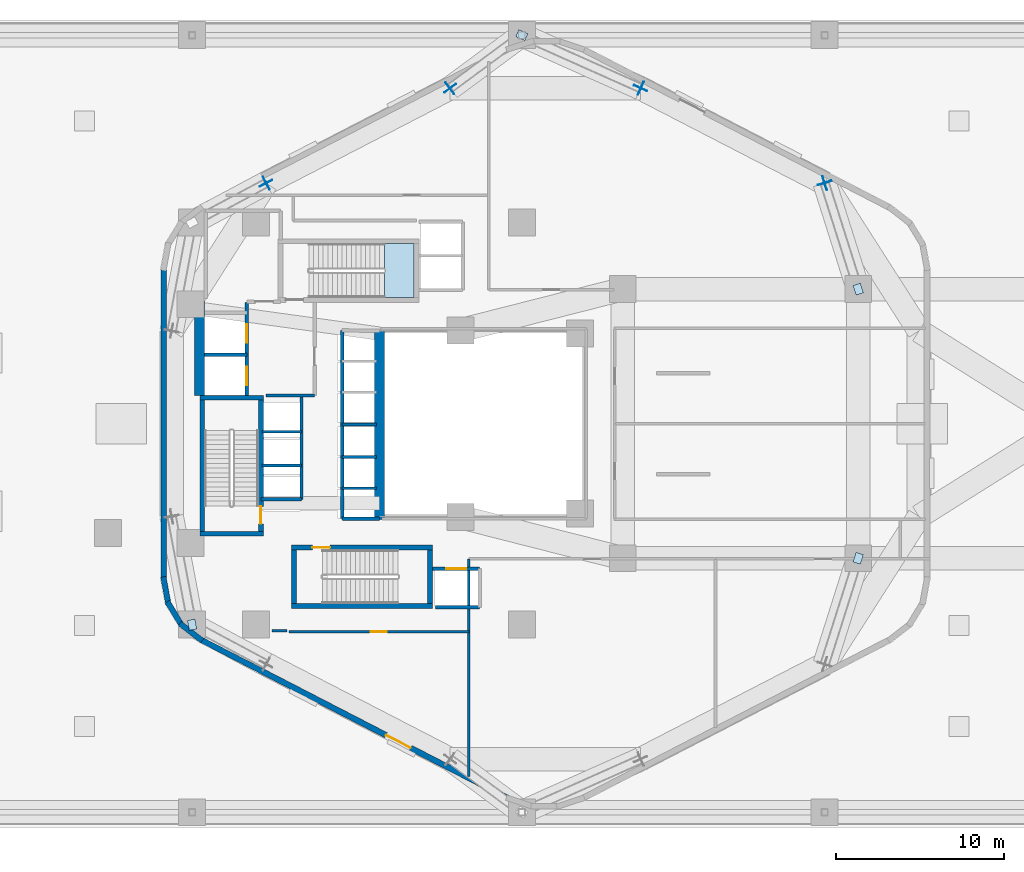
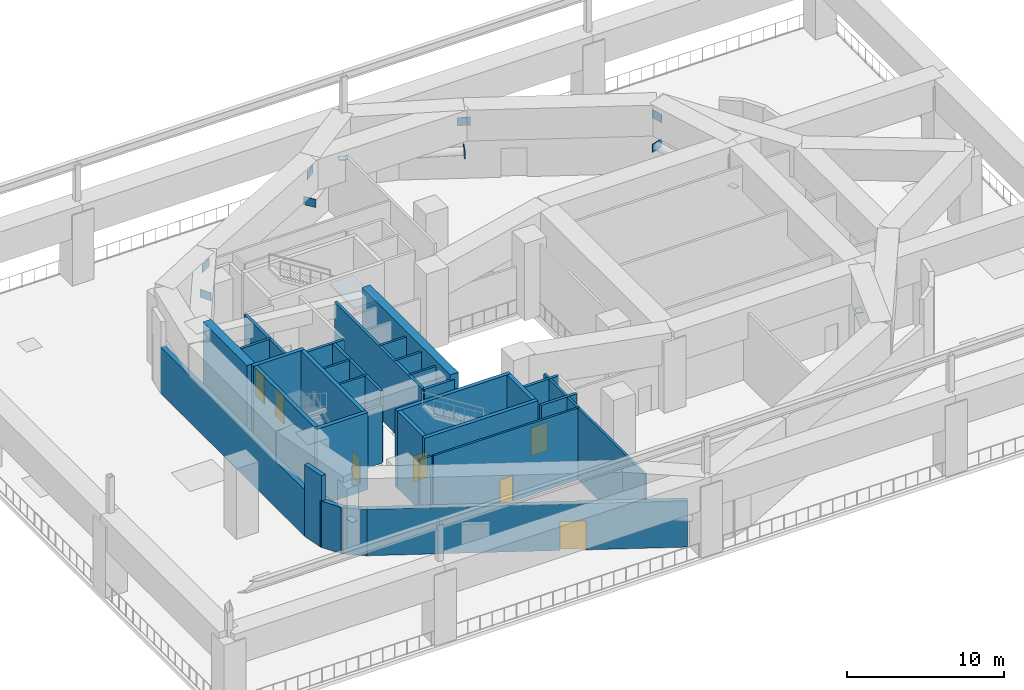
# One storey, part 9 of 15: 32 walls, 12 plates, 7 doors, 1 slab, 7 openings, 1 element without a shape of its own.
"""IFC4 building model written with IfcOpenShell, lengths in metres."""

from ifc_helpers import new_model, si_unit, direction, frame, frame_2d, origin, origin_2d, place, context, subcontext, project, spatial, polyline, rectangle, outline, extrude, material, layer, layer_set, type_object, element, fill, aggregate, save


model = new_model("IFC4")

# Units and contexts
model_context = context("Model", 3, precision=1e-05, world=origin(), true_north=direction((0.0, 1.0)))
body_context = subcontext(model_context, "Body", "Model", "MODEL_VIEW")
ifc_project = project(units=[si_unit("LENGTHUNIT", "METRE"), si_unit("AREAUNIT", "SQUARE_METRE"), si_unit("VOLUMEUNIT", "CUBIC_METRE"), si_unit("PLANEANGLEUNIT", "RADIAN"), si_unit("MASSUNIT", "GRAM", prefix="KILO"), si_unit("THERMODYNAMICTEMPERATUREUNIT", "KELVIN"), si_unit("POWERUNIT", "WATT")], contexts=[model_context])

# Site, building, storey
site_placement = place(None, origin())
site = spatial("IfcSite", under=ifc_project, at=site_placement, CompositionType="ELEMENT")
building_placement = place(site_placement, origin())
building = spatial("IfcBuilding", under=site, at=building_placement, Name="Skarre Station Tower", CompositionType="ELEMENT")
storey_placement = place(building_placement, frame((0.0, 0.0, 21.0)))
storey = spatial("IfcBuildingStorey", under=building, at=storey_placement, Name="L05", CompositionType="ELEMENT", Elevation=21.0)

# Plates
ifc_material_1 = material(Name="Steel ASTM A572 Grade 50", Category="steel")
ifc_layer_1 = layer(ifc_material_1, 0.030029296875, Name="Steel ASTM A572 Grade 50")
ifc_layer_set_1 = layer_set([ifc_layer_1], Name="Steel ASTM A572 Grade 50")
plate_type_1 = type_object("IfcPlateType", Name="Hollow-Section End Cap Plate 600x460x30", PredefinedType="USERDEFINED", material=ifc_layer_set_1)
for number, where, z_axis, x_axis, name in (
    (1, (56.0, 32.0, 2.3349609375), (0.0, 0.0, 1.0), (-0.301704364497, 0.953401529495, 0.0), "L05 Transfer Brace Base Gusset Plate F0C1"),
    (2, (36.0, 47.10009765625, 2.3349609375), (0.0, 0.0, 1.0), (0.91307632467, -0.407788701814, 0.0), "L05 Transfer Brace Base Gusset Plate F0C2"),
    (3, (16.39990234375, 12.050048828125, 2.3349609375), (0.0, 0.0, 1.0), (-0.185409361597, 0.982661370276, 0.0), "L05 Transfer Brace Base Gusset Plate F2C2"),
    (4, (56.0, 16.0, 2.3349609375), (0.0, 0.0, 1.0), (-0.301704364497, -0.953401529495, 0.0), "L05 Transfer Brace Base Gusset Plate F4C2"),
):
    element("IfcPlate", number, at=place(storey_placement, frame(where, z_axis=z_axis, x_axis=x_axis)), inside=storey, type_object=plate_type_1, Name=name, ObjectType="STIFFENER_PLATE", PredefinedType="USERDEFINED", context=body_context, shape_type="SweptSolid", body=[
        extrude(rectangle(XDim=0.60009765625, YDim=0.4599609375, at=origin_2d()), origin(), (0.0, 0.0, 1.0), 0.030029296875),
    ])
ifc_layer_2 = layer(ifc_material_1, 0.0400390625, Name="Steel ASTM A572 Grade 50")
ifc_layer_set_2 = layer_set([ifc_layer_2], Name="Steel ASTM A572 Grade 50")
plate_type_2 = type_object("IfcPlateType", Name="Outrigger Heavy Gusset Plate 850x640x40", PredefinedType="USERDEFINED", material=ifc_layer_set_2)
plate_1_placement = place(storey_placement, frame((54.007080078125, 38.298095703125, 4.330078125), z_axis=(0.0, 0.0, 1.0), x_axis=(-0.301704364497, 0.953401529495, 0.0)))
element("IfcPlate", 5, at=plate_1_placement, inside=storey, type_object=plate_type_2, Name="L05 Transfer Truss Top Gusset Plate F0C1", ObjectType="GUSSET_PLATE", PredefinedType="USERDEFINED", context=body_context, shape_type="SweptSolid", body=[
    extrude(rectangle(XDim=0.85009765625, YDim=0.0400390625, at=origin_2d()), origin(), (0.0, 0.0, 1.0), 0.639892578125),
])
plate_2_placement = place(storey_placement, frame((54.001953125, 38.31201171875, 2.0302734375), z_axis=(0.0, 0.0, 1.0), x_axis=(-0.301704364497, 0.953401529495, 0.0)))
element("IfcPlate", 6, at=plate_2_placement, inside=storey, type_object=plate_type_2, Name="L05 Transfer Truss Chord End Cap Plate F0C1", ObjectType="GUSSET_PLATE", PredefinedType="USERDEFINED", context=body_context, shape_type="SweptSolid", body=[
    extrude(rectangle(XDim=0.0400390625, YDim=0.85009765625, at=origin_2d()), origin(), (0.0, 0.0, 1.0), 0.639892578125),
])
plate_3_placement = place(storey_placement, frame((43.06005859375, 43.947021484375, 4.330078125), z_axis=(0.0, 0.0, 1.0), x_axis=(0.91307632467, -0.407788701814, 0.0)))
element("IfcPlate", 7, at=plate_3_placement, inside=storey, type_object=plate_type_2, Name="L05 Transfer Truss Top Gusset Plate F0C2", ObjectType="GUSSET_PLATE", PredefinedType="USERDEFINED", context=body_context, shape_type="SweptSolid", body=[
    extrude(rectangle(XDim=0.85009765625, YDim=0.0400390625, at=origin_2d()), origin(), (0.0, 0.0, 1.0), 0.639892578125),
])
plate_4_placement = place(storey_placement, frame((43.073974609375, 43.94091796875, 2.0302734375), z_axis=(0.0, 0.0, 1.0), x_axis=(0.91307632467, -0.407788701814, 0.0)))
element("IfcPlate", 8, at=plate_4_placement, inside=storey, type_object=plate_type_2, Name="L05 Transfer Truss Chord End Cap Plate F0C2", ObjectType="GUSSET_PLATE", PredefinedType="USERDEFINED", context=body_context, shape_type="SweptSolid", body=[
    extrude(rectangle(XDim=0.0400390625, YDim=0.85009765625, at=origin_2d()), origin(), (0.0, 0.0, 1.0), 0.639892578125),
])
plate_5_placement = place(storey_placement, frame((31.739990234375, 43.947021484375, 4.330078125), z_axis=(0.0, 0.0, 1.0), x_axis=(-0.803784183305, -0.594920991954, 0.0)))
element("IfcPlate", 9, at=plate_5_placement, inside=storey, type_object=plate_type_2, Name="L05 Transfer Truss Top Gusset Plate F1C1", ObjectType="GUSSET_PLATE", PredefinedType="USERDEFINED", context=body_context, shape_type="SweptSolid", body=[
    extrude(rectangle(XDim=0.85009765625, YDim=0.0400390625, at=origin_2d()), origin(), (0.0, 0.0, 1.0), 0.639892578125),
])
plate_6_placement = place(storey_placement, frame((31.72802734375, 43.93798828125, 2.0302734375), z_axis=(0.0, 0.0, 1.0), x_axis=(-0.803784183305, -0.594920991954, 0.0)))
element("IfcPlate", 10, at=plate_6_placement, inside=storey, type_object=plate_type_2, Name="L05 Transfer Truss Chord End Cap Plate F1C1", ObjectType="GUSSET_PLATE", PredefinedType="USERDEFINED", context=body_context, shape_type="SweptSolid", body=[
    extrude(rectangle(XDim=0.0400390625, YDim=0.85009765625, at=origin_2d()), origin(), (0.0, 0.0, 1.0), 0.639892578125),
])
plate_7_placement = place(storey_placement, frame((20.79296875, 38.298095703125, 4.330078125), z_axis=(0.0, 0.0, 1.0), x_axis=(0.881929491639, 0.471381344324, 0.0)))
element("IfcPlate", 11, at=plate_7_placement, inside=storey, type_object=plate_type_2, Name="L05 Transfer Truss Top Gusset Plate F1C2", ObjectType="GUSSET_PLATE", PredefinedType="USERDEFINED", context=body_context, shape_type="SweptSolid", body=[
    extrude(rectangle(XDim=0.85009765625, YDim=0.0400390625, at=origin_2d()), origin(), (0.0, 0.0, 1.0), 0.639892578125),
])
plate_8_placement = place(storey_placement, frame((20.805908203125, 38.304931640625, 2.0302734375), z_axis=(0.0, 0.0, 1.0), x_axis=(0.881929491639, 0.471381344324, 0.0)))
element("IfcPlate", 12, at=plate_8_placement, inside=storey, type_object=plate_type_2, Name="L05 Transfer Truss Chord End Cap Plate F1C2", ObjectType="GUSSET_PLATE", PredefinedType="USERDEFINED", context=body_context, shape_type="SweptSolid", body=[
    extrude(rectangle(XDim=0.0400390625, YDim=0.85009765625, at=origin_2d()), origin(), (0.0, 0.0, 1.0), 0.639892578125),
])

# Stair, slab
ifc_material_2 = material(Name="Concrete C40/50", Category="concrete")
stair_type = type_object("IfcStairType", Name="Reinforced Concrete Exit Stair ST-3", PredefinedType="HALF_TURN_STAIR", material=ifc_material_2)
stair_placement = place(storey_placement, origin())
stair = element("IfcStair", 13, at=stair_placement, inside=storey, type_object=stair_type, Name="L05 Core Exit Stair ST-3", PredefinedType="HALF_TURN_STAIR")
ifc_layer_3 = layer(ifc_material_2, 0.219970703125, Name="Concrete C40/50")
ifc_layer_set_3 = layer_set([ifc_layer_3], Name="Concrete C40/50")
slab_type = type_object("IfcSlabType", Name="Reinforced Concrete Stair & Ramp Landing 220", PredefinedType="LANDING", material=ifc_layer_set_3)
slab_placement = place(storey_placement, frame((0.0, 0.0, 2.800048828125)))
slab = element("IfcSlab", 14, at=slab_placement, type_object=slab_type, Name="ST-3 landing 1", PredefinedType="LANDING", context=body_context, shape_type="SweptSolid", body=[
    extrude(outline(polyline([(27.830078125, 31.5), (29.60009765625, 31.5), (29.60009765625, 34.699951171875), (27.830078125, 34.699951171875), (27.830078125, 31.5)])), origin(), (0.0, 0.0, 1.0), 0.199951171875),
])
aggregate(stair, [slab])

# Wall, opening, door
ifc_material_3 = material(Name="Acoustic Steel-Stud Gypsum Partition", Category="steel")
ifc_layer_4 = layer(ifc_material_3, 0.14990234375, Name="Acoustic Steel-Stud Gypsum Partition")
ifc_layer_set_4 = layer_set([ifc_layer_4], Name="Acoustic Steel-Stud Gypsum Partition")
wall_type_1 = type_object("IfcWallType", Name="Fire-Rated Corridor Acoustic Partition 150", PredefinedType="PARTITIONING", material=ifc_layer_set_4)
wall_1_placement = place(storey_placement, frame((32.85009765625, 11.639892578125, 0.0), z_axis=(0.0, 0.0, 1.0), x_axis=(-1.0, 0.0, 0.0)))
wall_1 = element("IfcWall", 15, at=wall_1_placement, inside=storey, type_object=wall_type_1, Name="L05 Interior Partition WL-PT-L05-PLTSW1-CW", PredefinedType="PARTITIONING", context=body_context, shape_type="SweptSolid", body=[
    extrude(rectangle(XDim=10.7001953125, YDim=0.14990234375, at=frame_2d((5.35009765625, 0.0))), origin(), (0.0, 0.0, 1.0), 5.580078125),
])
opening_1_placement = place(wall_1_placement, frame((4.8701171875, 0.0, 0.0)))
opening_1 = element("IfcOpeningElement", 16, at=opening_1_placement, cuts=wall_1, Name="Opening DR-FD60", PredefinedType="OPENING", context=body_context, shape_type="SweptSolid", body=[
    extrude(rectangle(XDim=0.9599609375, YDim=2.0, at=frame_2d((0.47998046875, 1.0))), frame((0.0, 0.0849609375, 0.0), z_axis=(0.0, -1.0, 0.0), x_axis=(1.0, 0.0, 0.0)), (0.0, 0.0, 1.0), 0.169921875),
])
ifc_material_4 = material(Name="Nordic White-Oak Veneer Solid-Core Fire Leaf", Category="wood")
door_type_1 = type_object("IfcDoorType", Name="Corridor Suite Entry Fire Door FD60 960x2150", OperationType="SINGLE_SWING_LEFT", PredefinedType="DOOR", material=ifc_material_4)
door_1_placement = place(opening_1_placement, origin())
door_1 = element("IfcDoor", 17, at=door_1_placement, inside=storey, type_object=door_type_1, Name="L05 PLTSW1 Entry Door", OperationType="SINGLE_SWING_LEFT", OverallHeight=2.0, OverallWidth=0.9599609375, PredefinedType="DOOR", context=body_context, shape_type="SweptSolid", body=[
    extrude(rectangle(XDim=0.9599609375, YDim=2.0, at=frame_2d((0.47998046875, 1.0))), frame((0.0, 0.02490234375, 0.0), z_axis=(0.0, -1.0, 0.0), x_axis=(1.0, 0.0, 0.0)), (0.0, 0.0, 1.0), 0.050048828125),
])
fill(opening_1, door_1)

# Walls
wall_2_placement = place(storey_placement, frame((22.031982421875, 11.679931640625, 0.0), z_axis=(0.0, 0.0, 1.0), x_axis=(-1.0, 0.0, 0.0)))
element("IfcWall", 18, at=wall_2_placement, inside=storey, type_object=wall_type_1, Name="L05 Interior Partition WL-PT-L05-CSEAL-1", PredefinedType="PARTITIONING", context=body_context, shape_type="SweptSolid", body=[
    extrude(rectangle(XDim=0.882080078125, YDim=0.14990234375, at=frame_2d((0.44091796875, 0.0))), origin(), (0.0, 0.0, 1.0), 5.580078125),
])
ifc_material_5 = material(Name="Precast concrete C45/55", Category="concrete")
ifc_layer_5 = layer(ifc_material_5, 0.340087890625, Name="Precast concrete C45/55")
ifc_layer_set_5 = layer_set([ifc_layer_5], Name="Precast concrete C45/55")
wall_type_2 = type_object("IfcWallType", Name="Nordic Honed Precast Facet Wall 340", PredefinedType="STANDARD", material=ifc_layer_set_5)
wall_3_placement = place(storey_placement, frame((14.70703125, 14.798095703125, 0.0), z_axis=(0.0, 0.0, 1.0), x_axis=(0.0, 1.0, 0.0)))
element("IfcWall", 19, at=wall_3_placement, inside=storey, type_object=wall_type_2, Name="L05 Facet 2 Nordic Precast Masonry Wall", PredefinedType="STANDARD", context=body_context, shape_type="SweptSolid", body=[
    extrude(rectangle(XDim=18.40380859375, YDim=0.340087890625, at=frame_2d((9.201904296875, 0.0))), origin(), (0.0, 0.0, 1.0), 3.60009765625),
])

# Wall, opening, door
wall_4_placement = place(storey_placement, frame((35.1689453125, 1.742919921875, 0.0), z_axis=(0.0, 0.0, 1.0), x_axis=(-0.888634413993, 0.458616264721, 0.0)))
wall_4 = element("IfcWall", 20, at=wall_4_placement, inside=storey, type_object=wall_type_2, Name="L05 Facet 3 Nordic Precast Masonry Wall", PredefinedType="STANDARD", context=body_context, shape_type="SweptSolid", body=[
    extrude(rectangle(XDim=20.53125, YDim=0.340087890625, at=frame_2d((10.265625, 0.0))), origin(), (0.0, 0.0, 1.0), 3.60009765625),
])
opening_2_placement = place(wall_4_placement, frame((6.5, 0.0, 0.0)))
opening_2 = element("IfcOpeningElement", 21, at=opening_2_placement, cuts=wall_4, Name="Opening DR-SGD165", PredefinedType="OPENING", context=body_context, shape_type="SweptSolid", body=[
    extrude(rectangle(XDim=1.64990234375, YDim=2.25, at=frame_2d((0.824951171875, 1.125))), frame((0.0, 0.179931640625, 0.0), z_axis=(0.0, -1.0, 0.0), x_axis=(1.0, 0.0, 0.0)), (0.0, 0.0, 1.0), 0.360107421875),
])
ifc_material_6 = material(Name="Thermally Broken Aluminium & Triple Glazing", Category="aluminium")
door_type_2 = type_object("IfcDoorType", Name="Sky-Garden Double Glazed Terrace Door 1650x2250", OperationType="DOUBLE_DOOR_SINGLE_SWING", PredefinedType="DOOR", material=ifc_material_6)
door_2_placement = place(opening_2_placement, origin())
door_2 = element("IfcDoor", 22, at=door_2_placement, inside=storey, type_object=door_type_2, Name="L05 Podium Roof Garden Terrace Access Door S", OperationType="SINGLE_SWING_LEFT", OverallHeight=2.25, OverallWidth=1.64990234375, PredefinedType="DOOR", context=body_context, shape_type="SweptSolid", body=[
    extrude(rectangle(XDim=1.64990234375, YDim=2.25, at=frame_2d((0.824951171875, 1.125))), frame((0.0, 0.02490234375, 0.0), z_axis=(0.0, -1.0, 0.0), x_axis=(1.0, 0.0, 0.0)), (0.0, 0.0, 1.0), 0.050048828125),
])
fill(opening_2, door_2)

# Walls
ifc_layer_6 = layer(ifc_material_5, 0.330078125, Name="Precast concrete C45/55")
ifc_layer_set_6 = layer_set([ifc_layer_6], Name="Precast concrete C45/55")
wall_type_3 = type_object("IfcWallType", Name="Nordic Rounded Corner Precast Wall 330", PredefinedType="STANDARD", material=ifc_layer_set_6)
wall_5_placement = place(storey_placement, frame((16.998046875, 11.09912109375, 0.0), z_axis=(0.0, 0.0, 1.0), x_axis=(-0.790691856293, 0.61221433207, 0.0)))
element("IfcWall", 23, at=wall_5_placement, inside=storey, type_object=wall_type_3, Name="L05 Rounded Corner Precast Wall F3-1", PredefinedType="STANDARD", context=body_context, shape_type="SweptSolid", body=[
    extrude(rectangle(XDim=1.67578125, YDim=0.330078125, at=frame_2d((0.837890625, 0.0))), origin(), (0.0, 0.0, 1.0), 3.60009765625),
])
wall_6_placement = place(storey_placement, frame((15.798095703125, 11.985107421875, 0.0), z_axis=(0.0, 0.0, 1.0), x_axis=(-0.520584129191, 0.853810379671, 0.0)))
element("IfcWall", 24, at=wall_6_placement, inside=storey, type_object=wall_type_3, Name="L05 Rounded Corner Precast Wall F3-2", PredefinedType="STANDARD", context=body_context, shape_type="SweptSolid", body=[
    extrude(rectangle(XDim=1.677001953125, YDim=0.330078125, at=frame_2d((0.83837890625, 0.0))), origin(), (0.0, 0.0, 1.0), 3.60009765625),
])
wall_7_placement = place(storey_placement, frame((14.991943359375, 13.241943359375, 0.0), z_axis=(0.0, 0.0, 1.0), x_axis=(-0.181714143354, 0.983351397063, 0.0)))
element("IfcWall", 25, at=wall_7_placement, inside=storey, type_object=wall_type_3, Name="L05 Rounded Corner Precast Wall F3-3", PredefinedType="STANDARD", context=body_context, shape_type="SweptSolid", body=[
    extrude(rectangle(XDim=1.677978515625, YDim=0.330078125, at=frame_2d((0.8388671875, 0.0))), origin(), (0.0, 0.0, 1.0), 5.580078125),
])
ifc_material_7 = material(Name="Concrete C50/60", Category="concrete")
ifc_layer_7 = layer(ifc_material_7, 0.280029296875, Name="Concrete C50/60")
ifc_layer_set_7 = layer_set([ifc_layer_7], Name="Concrete C50/60")
wall_type_4 = type_object("IfcWallType", Name="RC Core Shear Wall 280", PredefinedType="SHEAR", material=ifc_layer_set_7)
for number, where, z_axis, x_axis, name in (
    (26, (16.8701171875, 17.4599609375, 0.0), (0.0, 0.0, 1.0), (1.0, 0.0, 0.0), "L05 Stair ST-1 South Shear Wall"),
    (27, (20.6298828125, 25.5400390625, 0.0), (0.0, 0.0, 1.0), (-1.0, 0.0, 0.0), "L05 Stair ST-1 North Shear Wall"),
):
    element("IfcWall", number, at=place(storey_placement, frame(where, z_axis=z_axis, x_axis=x_axis)), inside=storey, type_object=wall_type_4, Name=name, PredefinedType="SHEAR", context=body_context, shape_type="SweptSolid", body=[
        extrude(rectangle(XDim=3.759765625, YDim=0.280029296875, at=frame_2d((1.8798828125, 0.0))), origin(), (0.0, 0.0, 1.0), 6.0),
    ])
wall_8_placement = place(storey_placement, frame((17.010009765625, 25.39990234375, 0.0), z_axis=(0.0, 0.0, 1.0), x_axis=(0.0, -1.0, 0.0)))
element("IfcWall", 28, at=wall_8_placement, inside=storey, type_object=wall_type_4, Name="L05 Stair ST-1 West Shear Wall", PredefinedType="SHEAR", context=body_context, shape_type="SweptSolid", body=[
    extrude(rectangle(XDim=7.7998046875, YDim=0.280029296875, at=frame_2d((3.89990234375, 0.0))), origin(), (0.0, 0.0, 1.0), 6.0),
])

# Wall, opening, door
wall_9_placement = place(storey_placement, frame((20.489990234375, 17.60009765625, 0.0), z_axis=(0.0, 0.0, 1.0), x_axis=(0.0, 1.0, 0.0)))
wall_9 = element("IfcWall", 29, at=wall_9_placement, inside=storey, type_object=wall_type_4, Name="L05 Stair ST-1 East Shear Wall", PredefinedType="SHEAR", context=body_context, shape_type="SweptSolid", body=[
    extrude(rectangle(XDim=7.7998046875, YDim=0.280029296875, at=frame_2d((3.89990234375, 0.0))), origin(), (0.0, 0.0, 1.0), 6.0),
])
opening_3_placement = place(wall_9_placement, frame((0.43994140625, 0.0, 0.0)))
opening_3 = element("IfcOpeningElement", 30, at=opening_3_placement, cuts=wall_9, Name="Opening DR-FD90", PredefinedType="OPENING", context=body_context, shape_type="SweptSolid", body=[
    extrude(rectangle(XDim=1.050048828125, YDim=2.0, at=frame_2d((0.52490234375, 1.0))), frame((0.0, 0.14990234375, 0.0), z_axis=(0.0, -1.0, 0.0), x_axis=(1.0, 0.0, 0.0)), (0.0, 0.0, 1.0), 0.300048828125),
])
ifc_material_8 = material(Name="Fire-Rated Insulated Steel Frame & Timber Core Leaf", Category="steel")
door_type_3 = type_object("IfcDoorType", Name="Stair & FSAE Lobby Fire Door FD90 1050x2150", OperationType="SINGLE_SWING_RIGHT", PredefinedType="DOOR", material=ifc_material_8)
door_3_placement = place(opening_3_placement, origin())
door_3 = element("IfcDoor", 31, at=door_3_placement, inside=storey, type_object=door_type_3, Name="L05 Stair ST-1 Exit Door", OperationType="SINGLE_SWING_RIGHT", OverallHeight=2.0, OverallWidth=1.050048828125, PredefinedType="DOOR", context=body_context, shape_type="SweptSolid", body=[
    extrude(rectangle(XDim=1.050048828125, YDim=2.0, at=frame_2d((0.52490234375, 1.0))), frame((0.0, 0.02490234375, 0.0), z_axis=(0.0, -1.0, 0.0), x_axis=(1.0, 0.0, 0.0)), (0.0, 0.0, 1.0), 0.050048828125),
])
fill(opening_3, door_3)

# Wall
wall_10_placement = place(storey_placement, frame((22.320068359375, 13.159912109375, 0.0), z_axis=(0.0, 0.0, 1.0), x_axis=(1.0, 0.0, 0.0)))
element("IfcWall", 32, at=wall_10_placement, inside=storey, type_object=wall_type_4, Name="L05 Stair ST-2 South Shear Wall", PredefinedType="SHEAR", context=body_context, shape_type="SweptSolid", body=[
    extrude(rectangle(XDim=8.35986328125, YDim=0.280029296875, at=frame_2d((4.179931640625, 0.0))), origin(), (0.0, 0.0, 1.0), 6.0),
])

# Wall, opening, door
wall_11_placement = place(storey_placement, frame((30.679931640625, 16.639892578125, 0.0), z_axis=(0.0, 0.0, 1.0), x_axis=(-1.0, 0.0, 0.0)))
wall_11 = element("IfcWall", 33, at=wall_11_placement, inside=storey, type_object=wall_type_4, Name="L05 Stair ST-2 North Shear Wall", PredefinedType="SHEAR", context=body_context, shape_type="SweptSolid", body=[
    extrude(rectangle(XDim=8.35986328125, YDim=0.280029296875, at=frame_2d((4.179931640625, 0.0))), origin(), (0.0, 0.0, 1.0), 6.0),
])
opening_4_placement = place(wall_11_placement, frame((6.080078125, 0.0, 0.0)))
opening_4 = element("IfcOpeningElement", 34, at=opening_4_placement, cuts=wall_11, Name="Opening DR-FD90", PredefinedType="OPENING", context=body_context, shape_type="SweptSolid", body=[
    extrude(rectangle(XDim=1.050048828125, YDim=2.0, at=frame_2d((0.52490234375, 1.0))), frame((0.0, 0.14990234375, 0.0), z_axis=(0.0, -1.0, 0.0), x_axis=(1.0, 0.0, 0.0)), (0.0, 0.0, 1.0), 0.300048828125),
])
door_4_placement = place(opening_4_placement, origin())
door_4 = element("IfcDoor", 35, at=door_4_placement, inside=storey, type_object=door_type_3, Name="L05 Stair ST-2 Exit Door", OperationType="SINGLE_SWING_RIGHT", OverallHeight=2.0, OverallWidth=1.050048828125, PredefinedType="DOOR", context=body_context, shape_type="SweptSolid", body=[
    extrude(rectangle(XDim=1.050048828125, YDim=2.0, at=frame_2d((0.52490234375, 1.0))), frame((0.0, 0.02490234375, 0.0), z_axis=(0.0, -1.0, 0.0), x_axis=(1.0, 0.0, 0.0)), (0.0, 0.0, 1.0), 0.050048828125),
])
fill(opening_4, door_4)

# Walls
for number, where, z_axis, x_axis, name in (
    (36, (22.4599609375, 16.5, 0.0), (0.0, 0.0, 1.0), (0.0, -1.0, 0.0), "L05 Stair ST-2 West Shear Wall"),
    (37, (30.5400390625, 13.300048828125, 0.0), (0.0, 0.0, 1.0), (0.0, 1.0, 0.0), "L05 Stair ST-2 East Shear Wall"),
):
    element("IfcWall", number, at=place(storey_placement, frame(where, z_axis=z_axis, x_axis=x_axis)), inside=storey, type_object=wall_type_4, Name=name, PredefinedType="SHEAR", context=body_context, shape_type="SweptSolid", body=[
        extrude(rectangle(XDim=3.199951171875, YDim=0.280029296875, at=frame_2d((1.60009765625, 0.0))), origin(), (0.0, 0.0, 1.0), 6.0),
    ])
ifc_material_9 = material(Name="Concrete C70/85", Category="concrete")
ifc_layer_8 = layer(ifc_material_9, 0.60009765625, Name="Concrete C70/85")
ifc_layer_set_8 = layer_set([ifc_layer_8], Name="Concrete C70/85")
wall_type_5 = type_object("IfcWallType", Name="RC Core Shear Wall 600", PredefinedType="SHEAR", material=ifc_layer_set_8)
wall_12_placement = place(storey_placement, frame((16.85009765625, 25.679931640625, 0.0), z_axis=(0.0, 0.0, 1.0), x_axis=(0.0, 1.0, 0.0)))
element("IfcWall", 38, at=wall_12_placement, inside=storey, type_object=wall_type_5, Name="L05 Core West-North Shear Wall", PredefinedType="SHEAR", context=body_context, shape_type="SweptSolid", body=[
    extrude(rectangle(XDim=5.6201171875, YDim=0.60009765625, at=frame_2d((2.81005859375, 0.0))), origin(), (0.0, 0.0, 1.0), 6.0),
])
wall_13_placement = place(storey_placement, frame((27.550048828125, 29.550048828125, 0.0), z_axis=(0.0, 0.0, 1.0), x_axis=(0.0, -1.0, 0.0)))
element("IfcWall", 39, at=wall_13_placement, inside=storey, type_object=wall_type_5, Name="L05 Core East Atrium Shear Wall", PredefinedType="SHEAR", context=body_context, shape_type="SweptSolid", body=[
    extrude(rectangle(XDim=11.25, YDim=0.60009765625, at=frame_2d((5.625, 0.0))), origin(), (0.0, 0.0, 1.0), 6.0),
])

# Wall, openings, doors
ifc_material_10 = material(Name="Gypsum Concrete Shaft Assembly C30/37", Category="concrete")
ifc_layer_9 = layer(ifc_material_10, 0.199951171875, Name="Gypsum Concrete Shaft Assembly C30/37")
ifc_layer_set_9 = layer_set([ifc_layer_9], Name="Gypsum Concrete Shaft Assembly C30/37")
wall_type_6 = type_object("IfcWallType", Name="Shaft & Core Fire Partition 200", PredefinedType="PARTITIONING", material=ifc_layer_set_9)
wall_14_placement = place(storey_placement, frame((19.64990234375, 25.679931640625, 0.0), z_axis=(0.0, 0.0, 1.0), x_axis=(0.0, 1.0, 0.0)))
wall_14 = element("IfcWall", 40, at=wall_14_placement, inside=storey, type_object=wall_type_6, Name="L05 Interior Partition WL-PT-L05-FSAE-W", PredefinedType="PARTITIONING", context=body_context, shape_type="SweptSolid", body=[
    extrude(rectangle(XDim=5.5400390625, YDim=0.199951171875, at=frame_2d((2.77001953125, 0.0))), origin(), (0.0, 0.0, 1.0), 5.580078125),
])
opening_5_placement = place(wall_14_placement, frame((0.6201171875, 0.0, 0.0)))
opening_5 = element("IfcOpeningElement", 41, at=opening_5_placement, cuts=wall_14, Name="Opening LD-FF1", PredefinedType="OPENING", context=body_context, shape_type="SweptSolid", body=[
    extrude(rectangle(XDim=1.10009765625, YDim=2.199951171875, at=frame_2d((0.550048828125, 1.10009765625))), frame((0.0, 0.10986328125, 0.0), z_axis=(0.0, -1.0, 0.0), x_axis=(1.0, 0.0, 0.0)), (0.0, 0.0, 1.0), 0.219970703125),
])
opening_6_placement = place(wall_14_placement, frame((3.1201171875, 0.0, 0.0)))
opening_6 = element("IfcOpeningElement", 42, at=opening_6_placement, cuts=wall_14, Name="Opening LD-FF2", PredefinedType="OPENING", context=body_context, shape_type="SweptSolid", body=[
    extrude(rectangle(XDim=1.10009765625, YDim=2.199951171875, at=frame_2d((0.550048828125, 1.10009765625))), frame((0.0, 0.10986328125, 0.0), z_axis=(0.0, -1.0, 0.0), x_axis=(1.0, 0.0, 0.0)), (0.0, 0.0, 1.0), 0.219970703125),
])
ifc_material_11 = material(Name="Fire-Rated Stainless Steel Grade 316L Sliding Leaves", Category="steel")
door_type_4 = type_object("IfcDoorType", Name="Fire Service Access Elevator Sliding Landing Door 1100x2200", OperationType="SLIDING_TO_LEFT", PredefinedType="DOOR", material=ifc_material_11)
door_5_placement = place(opening_5_placement, origin())
door_5 = element("IfcDoor", 43, at=door_5_placement, inside=storey, type_object=door_type_4, Name="L05 Firefighting Lift LF-FF1 Landing Door", OperationType="SLIDING_TO_LEFT", OverallHeight=2.199951171875, OverallWidth=1.10009765625, PredefinedType="DOOR", context=body_context, shape_type="SweptSolid", body=[
    extrude(rectangle(XDim=1.10009765625, YDim=2.199951171875, at=frame_2d((0.550048828125, 1.10009765625))), frame((0.0, 0.02490234375, 0.0), z_axis=(0.0, -1.0, 0.0), x_axis=(1.0, 0.0, 0.0)), (0.0, 0.0, 1.0), 0.050048828125),
])
fill(opening_5, door_5)
door_6_placement = place(opening_6_placement, origin())
door_6 = element("IfcDoor", 44, at=door_6_placement, inside=storey, type_object=door_type_4, Name="L05 Firefighting Lift LF-FF2 Landing Door", OperationType="SLIDING_TO_LEFT", OverallHeight=2.199951171875, OverallWidth=1.10009765625, PredefinedType="DOOR", context=body_context, shape_type="SweptSolid", body=[
    extrude(rectangle(XDim=1.10009765625, YDim=2.199951171875, at=frame_2d((0.550048828125, 1.10009765625))), frame((0.0, 0.02490234375, 0.0), z_axis=(0.0, -1.0, 0.0), x_axis=(1.0, 0.0, 0.0)), (0.0, 0.0, 1.0), 0.050048828125),
])
fill(opening_6, door_6)

# Walls
wall_15_placement = place(storey_placement, frame((20.79296875, 25.679931640625, 0.0), z_axis=(0.0, 0.0, 1.0), x_axis=(1.0, 0.0, 0.0)))
element("IfcWall", 45, at=wall_15_placement, inside=storey, type_object=wall_type_6, Name="L05 Interior Partition WL-PT-L05-FSAE-S", PredefinedType="PARTITIONING", context=body_context, shape_type="SweptSolid", body=[
    extrude(rectangle(XDim=2.886962890625, YDim=0.199951171875, at=frame_2d((1.443359375, 0.0))), origin(), (0.0, 0.0, 1.0), 5.580078125),
])
wall_16_placement = place(storey_placement, frame((17.14990234375, 28.10009765625, 0.0), z_axis=(0.0, 0.0, 1.0), x_axis=(1.0, 0.0, 0.0)))
element("IfcWall", 46, at=wall_16_placement, inside=storey, type_object=wall_type_6, Name="L05 Interior Partition WL-PT-L05-FF-DIV", PredefinedType="PARTITIONING", context=body_context, shape_type="SweptSolid", body=[
    extrude(rectangle(XDim=2.5, YDim=0.199951171875, at=frame_2d((1.25, 0.0))), origin(), (0.0, 0.0, 1.0), 5.580078125),
])

# Wall, opening, door
wall_17_placement = place(storey_placement, frame((33.5, 15.3798828125, 0.0), z_axis=(0.0, 0.0, 1.0), x_axis=(-1.0, 0.0, 0.0)))
wall_17 = element("IfcWall", 47, at=wall_17_placement, inside=storey, type_object=wall_type_6, Name="L05 Interior Partition WL-PT-L05-SV1-N", PredefinedType="PARTITIONING", context=body_context, shape_type="SweptSolid", body=[
    extrude(rectangle(XDim=2.820068359375, YDim=0.199951171875, at=frame_2d((1.41015625, 0.0))), origin(), (0.0, 0.0, 1.0), 5.580078125),
])
opening_7_placement = place(wall_17_placement, frame((0.800048828125, 0.0, 0.0)))
opening_7 = element("IfcOpeningElement", 48, at=opening_7_placement, cuts=wall_17, Name="Opening LD-SV1", PredefinedType="OPENING", context=body_context, shape_type="SweptSolid", body=[
    extrude(rectangle(XDim=1.199951171875, YDim=2.199951171875, at=frame_2d((0.60009765625, 1.10009765625))), frame((0.0, 0.10986328125, 0.0), z_axis=(0.0, -1.0, 0.0), x_axis=(1.0, 0.0, 0.0)), (0.0, 0.0, 1.0), 0.219970703125),
])
ifc_material_12 = material(Name="Heavy-Gauge Brushed Stainless Steel Sliding Leaves", Category="steel")
door_type_5 = type_object("IfcDoorType", Name="Service Elevator Wide Sliding Landing Door 1200x2200", OperationType="SLIDING_TO_RIGHT", PredefinedType="DOOR", material=ifc_material_12)
door_7_placement = place(opening_7_placement, origin())
door_7 = element("IfcDoor", 49, at=door_7_placement, inside=storey, type_object=door_type_5, Name="L05 Service Lift LF-SV1 Landing Door", OperationType="SLIDING_TO_RIGHT", OverallHeight=2.199951171875, OverallWidth=1.199951171875, PredefinedType="DOOR", context=body_context, shape_type="SweptSolid", body=[
    extrude(rectangle(XDim=1.199951171875, YDim=2.199951171875, at=frame_2d((0.60009765625, 1.10009765625))), frame((0.0, 0.02490234375, 0.0), z_axis=(0.0, -1.0, 0.0), x_axis=(1.0, 0.0, 0.0)), (0.0, 0.0, 1.0), 0.050048828125),
])
fill(opening_7, door_7)

# Walls
wall_18_placement = place(storey_placement, frame((30.87890625, 13.080078125, 0.0), z_axis=(0.0, 0.0, 1.0), x_axis=(1.0, 0.0, 0.0)))
element("IfcWall", 50, at=wall_18_placement, inside=storey, type_object=wall_type_6, Name="L05 Interior Partition WL-PT-L05-SV1-S", PredefinedType="PARTITIONING", context=body_context, shape_type="SweptSolid", body=[
    extrude(rectangle(XDim=2.62109375, YDim=0.199951171875, at=frame_2d((1.310546875, 0.0))), origin(), (0.0, 0.0, 1.0), 5.580078125),
])
wall_19_placement = place(storey_placement, frame((22.89990234375, 19.5, 0.0), z_axis=(0.0, 0.0, 1.0), x_axis=(0.0, 1.0, 0.0)))
element("IfcWall", 51, at=wall_19_placement, inside=storey, type_object=wall_type_6, Name="L05 Interior Partition WL-PT-L05-B3-E", PredefinedType="PARTITIONING", context=body_context, shape_type="SweptSolid", body=[
    extrude(rectangle(XDim=6.0849609375, YDim=0.199951171875, at=frame_2d((3.04248046875, 0.0))), origin(), (0.0, 0.0, 1.0), 5.580078125),
])
wall_20_placement = place(storey_placement, frame((20.489990234375, 19.5, 0.0), z_axis=(0.0, 0.0, 1.0), x_axis=(1.0, 0.0, 0.0)))
element("IfcWall", 52, at=wall_20_placement, inside=storey, type_object=wall_type_6, Name="L05 Interior Partition WL-PT-L05-B3-S", PredefinedType="PARTITIONING", context=body_context, shape_type="SweptSolid", body=[
    extrude(rectangle(XDim=2.409912109375, YDim=0.199951171875, at=frame_2d((1.205078125, 0.0))), origin(), (0.0, 0.0, 1.0), 4.47998046875),
])
for number, where, z_axis, x_axis, name in (
    (53, (20.550048828125, 21.52001953125, 0.0), (0.0, 0.0, 1.0), (1.0, 0.0, 0.0), "L05 Interior Partition WL-PT-L05-B3-D1"),
    (54, (20.550048828125, 23.52001953125, 0.0), (0.0, 0.0, 1.0), (1.0, 0.0, 0.0), "L05 Interior Partition WL-PT-L05-B3-D2"),
):
    element("IfcWall", number, at=place(storey_placement, frame(where, z_axis=z_axis, x_axis=x_axis)), inside=storey, type_object=wall_type_6, Name=name, PredefinedType="PARTITIONING", context=body_context, shape_type="SweptSolid", body=[
        extrude(rectangle(XDim=2.349853515625, YDim=0.159912109375, at=frame_2d((1.1748046875, 0.0))), origin(), (0.0, 0.0, 1.0), 5.580078125),
    ])
wall_21_placement = place(storey_placement, frame((25.320068359375, 29.550048828125, 0.0), z_axis=(0.0, 0.0, 1.0), x_axis=(0.0, -1.0, 0.0)))
element("IfcWall", 55, at=wall_21_placement, inside=storey, type_object=wall_type_6, Name="L05 Interior Partition WL-PT-L05-B12-W", PredefinedType="PARTITIONING", context=body_context, shape_type="SweptSolid", body=[
    extrude(rectangle(XDim=11.18994140625, YDim=0.199951171875, at=frame_2d((5.594970703125, 0.0))), origin(), (0.0, 0.0, 1.0), 5.580078125),
])
wall_22_placement = place(storey_placement, frame((25.320068359375, 18.360107421875, 0.0), z_axis=(0.0, 0.0, 1.0), x_axis=(0.999989925833, -0.004488678231, 0.0)))
element("IfcWall", 56, at=wall_22_placement, inside=storey, type_object=wall_type_6, Name="L05 Interior Partition WL-PT-L05-B12-S", PredefinedType="PARTITIONING", context=body_context, shape_type="SweptSolid", body=[
    extrude(rectangle(XDim=2.22998046875, YDim=0.199951171875, at=frame_2d((1.114990234375, 0.0))), origin(), (0.0, 0.0, 1.0), 5.580078125),
])
for number, where, z_axis, x_axis, name in (
    (57, (25.320068359375, 20.169921875, 0.0), (0.0, 0.0, 1.0), (1.0, 0.0, 0.0), "L05 Interior Partition WL-PT-L05-B12-D201"),
    (58, (25.320068359375, 22.02001953125, 0.0), (0.0, 0.0, 1.0), (1.0, 0.0, 0.0), "L05 Interior Partition WL-PT-L05-B12-D220"),
    (59, (25.320068359375, 23.949951171875, 0.0), (0.0, 0.0, 1.0), (1.0, 0.0, 0.0), "L05 Interior Partition WL-PT-L05-B12-D239"),
):
    element("IfcWall", number, at=place(storey_placement, frame(where, z_axis=z_axis, x_axis=x_axis)), inside=storey, type_object=wall_type_6, Name=name, PredefinedType="PARTITIONING", context=body_context, shape_type="SweptSolid", body=[
        extrude(rectangle(XDim=2.030029296875, YDim=0.159912109375, at=frame_2d((1.01513671875, 0.0))), origin(), (0.0, 0.0, 1.0), 5.580078125),
    ])
ifc_layer_10 = layer(ifc_material_3, 0.1650390625, Name="Acoustic Steel-Stud Gypsum Partition")
ifc_layer_set_10 = layer_set([ifc_layer_10], Name="Acoustic Steel-Stud Gypsum Partition")
wall_type_7 = type_object("IfcWallType", Name="Suite Demising Acoustic Partition 165", PredefinedType="PARTITIONING", material=ifc_layer_set_10)
wall_23_placement = place(storey_placement, frame((32.85009765625, 3.030029296875, 0.0), z_axis=(0.0, 0.0, 1.0), x_axis=(0.0, 1.0, 0.0)))
element("IfcWall", 60, at=wall_23_placement, inside=storey, type_object=wall_type_7, Name="L05 Interior Partition WL-PT-L05-PLTSW-E", PredefinedType="PARTITIONING", context=body_context, shape_type="SweptSolid", body=[
    extrude(rectangle(XDim=12.929931640625, YDim=0.1650390625, at=frame_2d((6.46484375, 0.0))), origin(), (0.0, 0.0, 1.0), 5.580078125),
])

save(model, "model.ifc")
